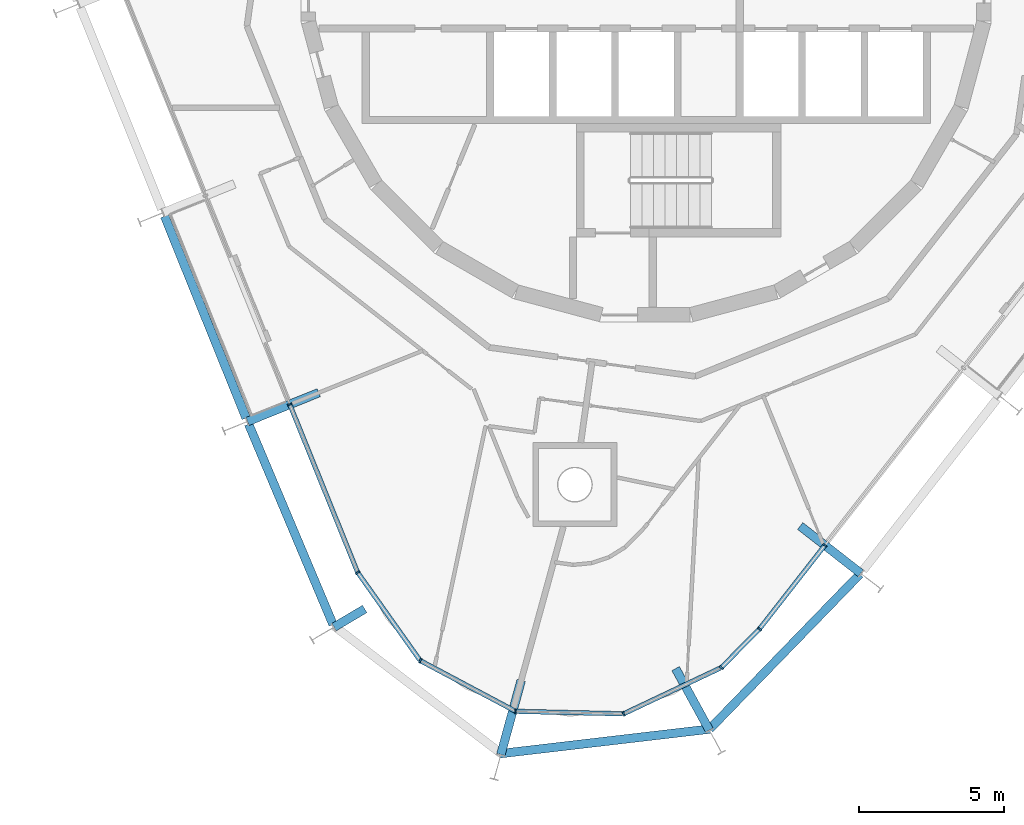
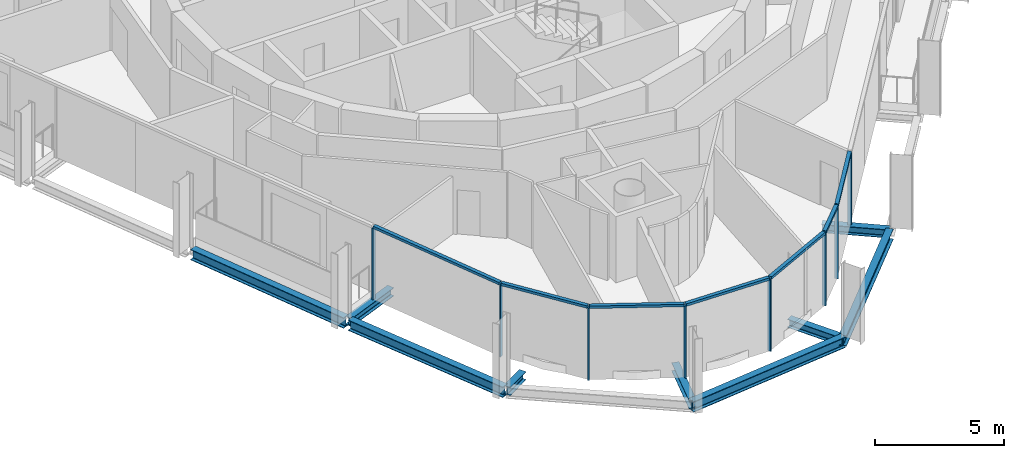
# One storey, part 2 of 15: 15 members, 9 beams, 2 elements without a shape of their own.
"""IFC4 building model written with IfcOpenShell, lengths in metres."""

from ifc_helpers import new_model, si_unit, direction, frame, origin, origin_2d, place, context, subcontext, project, spatial, rectangle, i_section, extrude, material, layer, layer_set, material_profile, profile_set, type_object, element, aggregate, save


model = new_model("IFC4")

# Units and contexts
model_context = context("Model", 3, precision=1e-05, world=origin(), true_north=direction((0.0, 1.0)))
body_context = subcontext(model_context, "Body", "Model", "MODEL_VIEW")
ifc_project = project(units=[si_unit("LENGTHUNIT", "METRE"), si_unit("AREAUNIT", "SQUARE_METRE"), si_unit("VOLUMEUNIT", "CUBIC_METRE"), si_unit("PLANEANGLEUNIT", "RADIAN"), si_unit("MASSUNIT", "GRAM", prefix="KILO")], contexts=[model_context])

# Site, building, storey
site_placement = place(None, origin())
site = spatial("IfcSite", under=ifc_project, at=site_placement, CompositionType="ELEMENT")
building_placement = place(site_placement, origin())
building = spatial("IfcBuilding", under=site, at=building_placement, Name="Spindle Arch Residences", CompositionType="ELEMENT")
storey_placement = place(building_placement, frame((0.0, 0.0, 357.5)))
storey = spatial("IfcBuildingStorey", under=building, at=storey_placement, Name="L92", CompositionType="ELEMENT", Elevation=357.5)

# Curtain wall, members
ifc_material_1 = material(Name="Aluminium bronze unitised frame with tinted glass", Category="aluminium")
ifc_layer_1 = layer(ifc_material_1, 0.159912109375)
ifc_layer_set_1 = layer_set([ifc_layer_1], Name="CW-D corner wall on the fillet arcs")
curtain_wall_type_1 = type_object("IfcCurtainWallType", Name="CW-D corner wall on the fillet arcs", PredefinedType="NOTDEFINED", material=ifc_layer_set_1)
curtain_wall_1_placement = place(storey_placement, origin())
curtain_wall_1 = element("IfcCurtainWall", 1, at=curtain_wall_1_placement, inside=storey, type_object=curtain_wall_type_1, Name="CW-D L92 run 5", PredefinedType="NOTDEFINED")
ifc_material_2 = material(Name="Aluminium bronze anodised mullion", Category="aluminium")
ifc_material_profile_1 = material_profile(ifc_material_2, rectangle(XDim=0.159912109375, YDim=0.06005859375, at=origin_2d()), Name="MU 60x160")
ifc_profile_set_1 = profile_set([ifc_material_profile_1], Name="Aluminium bronze anodised mullion")
member_type_1 = type_object("IfcMemberType", Name="Bronze mullion 60x160", PredefinedType="MULLION", material=ifc_profile_set_1)
member_1_placement = place(storey_placement, frame((-12.292724609375, -14.73779296875, -0.3798828125), z_axis=(0.0, 0.0, 1.0), x_axis=(0.927183854567, 0.374606593416, 0.0)))
member_1 = element("IfcMember", 2, at=member_1_placement, type_object=member_type_1, Name="CW-D mullion 00", PredefinedType="MULLION", context=body_context, shape_type="SweptSolid", body=[
    extrude(rectangle(XDim=0.159912109375, YDim=0.06005859375, at=origin_2d()), origin(), (0.0, 0.0, 1.0), 3.3798828125),
])
member_2_placement = place(storey_placement, frame((-9.951904296875, -20.53173828125, -0.3798828125), z_axis=(0.0, 0.0, 1.0), x_axis=(0.815801266332, 0.578332338584, 0.0)))
member_2 = element("IfcMember", 3, at=member_2_placement, type_object=member_type_1, Name="CW-D mullion 01", PredefinedType="MULLION", context=body_context, shape_type="SweptSolid", body=[
    extrude(rectangle(XDim=0.159912109375, YDim=0.06005859375, at=origin_2d()), origin(), (0.0, 0.0, 1.0), 3.3798828125),
])
member_3_placement = place(storey_placement, frame((-7.79638671875, -23.572021484375, -0.3798828125), z_axis=(0.0, 0.0, 1.0), x_axis=(0.469471563633, 0.882947592408, 0.0)))
member_3 = element("IfcMember", 4, at=member_3_placement, type_object=member_type_1, Name="CW-D mullion 02", PredefinedType="MULLION", context=body_context, shape_type="SweptSolid", body=[
    extrude(rectangle(XDim=0.159912109375, YDim=0.06005859375, at=origin_2d()), origin(), (0.0, 0.0, 1.0), 3.3798828125),
])
member_4_placement = place(storey_placement, frame((-4.505859375, -25.321533203125, -0.3798828125), z_axis=(0.0, 0.0, 1.0), x_axis=(0.023268959422, 0.999729241109, 0.0)))
member_4 = element("IfcMember", 5, at=member_4_placement, type_object=member_type_1, Name="CW-D mullion 03", PredefinedType="MULLION", context=body_context, shape_type="SweptSolid", body=[
    extrude(rectangle(XDim=0.159912109375, YDim=0.06005859375, at=origin_2d()), origin(), (0.0, 0.0, 1.0), 3.3798828125),
])
member_5_placement = place(storey_placement, frame((-0.7802734375, -25.408203125, -0.3798828125), z_axis=(0.0, 0.0, 1.0), x_axis=(-0.427883767902, 0.903833768547, 0.0)))
member_5 = element("IfcMember", 6, at=member_5_placement, type_object=member_type_1, Name="CW-D mullion 04", PredefinedType="MULLION", context=body_context, shape_type="SweptSolid", body=[
    extrude(rectangle(XDim=0.159912109375, YDim=0.06005859375, at=origin_2d()), origin(), (0.0, 0.0, 1.0), 3.3798828125),
])
member_6_placement = place(storey_placement, frame((2.588134765625, -23.813720703125, -0.3798828125), z_axis=(0.0, 0.0, 1.0), x_axis=(-0.711208575748, 0.702981053644, 0.0)))
member_6 = element("IfcMember", 7, at=member_6_placement, type_object=member_type_1, Name="CW-D mullion 05", PredefinedType="MULLION", context=body_context, shape_type="SweptSolid", body=[
    extrude(rectangle(XDim=0.159912109375, YDim=0.06005859375, at=origin_2d()), origin(), (0.0, 0.0, 1.0), 3.3798828125),
])
member_7_placement = place(storey_placement, frame((3.906982421875, -22.479248046875, -0.3798828125), z_axis=(0.0, 0.0, 1.0), x_axis=(-0.788010753607, 0.615661475326, 0.0)))
member_7 = element("IfcMember", 8, at=member_7_placement, type_object=member_type_1, Name="CW-D mullion 06", PredefinedType="MULLION", context=body_context, shape_type="SweptSolid", body=[
    extrude(rectangle(XDim=0.159912109375, YDim=0.06005859375, at=origin_2d()), origin(), (0.0, 0.0, 1.0), 3.3798828125),
])

# Curtain wall, member
ifc_material_3 = material(Name="Aluminium bronze unitised frame with tinted glass", Category="aluminium")
ifc_layer_2 = layer(ifc_material_3, 0.159912109375)
ifc_layer_set_2 = layer_set([ifc_layer_2], Name="CW-C typical residential unitised wall")
curtain_wall_type_2 = type_object("IfcCurtainWallType", Name="CW-C typical residential unitised wall", PredefinedType="NOTDEFINED", material=ifc_layer_set_2)
curtain_wall_2_placement = place(storey_placement, origin())
curtain_wall_2 = element("IfcCurtainWall", 9, at=curtain_wall_2_placement, inside=storey, type_object=curtain_wall_type_2, Name="CW-C L92 run 6", PredefinedType="NOTDEFINED")
member_8_placement = place(storey_placement, frame((6.160400390625, -19.594970703125, -0.3798828125), z_axis=(0.0, 0.0, 1.0), x_axis=(-0.788010753607, 0.615661475326, 0.0)))
member_8 = element("IfcMember", 10, at=member_8_placement, type_object=member_type_1, Name="CW-C mullion 18", PredefinedType="MULLION", context=body_context, shape_type="SweptSolid", body=[
    extrude(rectangle(XDim=0.159912109375, YDim=0.06005859375, at=origin_2d()), origin(), (0.0, 0.0, 1.0), 3.3798828125),
])
aggregate(curtain_wall_2, [member_8])

# Member
ifc_material_4 = material(Name="Aluminium bronze anodised transom", Category="aluminium")
ifc_material_profile_2 = material_profile(ifc_material_4, rectangle(XDim=0.159912109375, YDim=0.1201171875, at=origin_2d()), Name="TR 120x160")
ifc_profile_set_2 = profile_set([ifc_material_profile_2], Name="Aluminium bronze anodised transom")
member_type_2 = type_object("IfcMemberType", Name="Bronze transom 120x160", PredefinedType="USERDEFINED", material=ifc_profile_set_2)
member_9_placement = place(storey_placement, frame((-12.28125, -14.765625, 3.06005859375), z_axis=(0.374564798487, -0.927200739719, 0.0), x_axis=(0.927200739719, 0.374564798487, 0.0)))
member_9 = element("IfcMember", 11, at=member_9_placement, type_object=member_type_2, Name="CW-D transom 00", ObjectType="TRANSOM", PredefinedType="USERDEFINED", context=body_context, shape_type="SweptSolid", body=[
    extrude(rectangle(XDim=0.159912109375, YDim=0.1201171875, at=origin_2d()), origin(), (0.0, 0.0, 1.0), 6.188720703125),
])

member_10_placement = place(storey_placement, frame((-9.934326171875, -20.55615234375, 3.06005859375), z_axis=(0.578349828601, -0.815788867145, 0.0), x_axis=(0.815788867145, 0.578349828601, 0.0)))
member_10 = element("IfcMember", 12, at=member_10_placement, type_object=member_type_2, Name="CW-D transom 01", ObjectType="TRANSOM", PredefinedType="USERDEFINED", context=body_context, shape_type="SweptSolid", body=[
    extrude(rectangle(XDim=0.159912109375, YDim=0.1201171875, at=origin_2d()), origin(), (0.0, 0.0, 1.0), 3.666748046875),
])

member_11_placement = place(storey_placement, frame((-7.77001953125, -23.5859375, 3.06005859375), z_axis=(0.882947559001, -0.469471626463, 0.0), x_axis=(0.469471626463, 0.882947559001, 0.0)))
member_11 = element("IfcMember", 13, at=member_11_placement, type_object=member_type_2, Name="CW-D transom 02", ObjectType="TRANSOM", PredefinedType="USERDEFINED", context=body_context, shape_type="SweptSolid", body=[
    extrude(rectangle(XDim=0.159912109375, YDim=0.1201171875, at=origin_2d()), origin(), (0.0, 0.0, 1.0), 3.666748046875),
])

member_12_placement = place(storey_placement, frame((-4.47607421875, -25.322265625, 3.06005859375), z_axis=(0.999729981043, -0.023237147079, 0.0), x_axis=(0.023237147079, 0.999729981043, 0.0)))
member_12 = element("IfcMember", 14, at=member_12_placement, type_object=member_type_2, Name="CW-D transom 03", ObjectType="TRANSOM", PredefinedType="USERDEFINED", context=body_context, shape_type="SweptSolid", body=[
    extrude(rectangle(XDim=0.159912109375, YDim=0.1201171875, at=origin_2d()), origin(), (0.0, 0.0, 1.0), 3.666748046875),
])

member_13_placement = place(storey_placement, frame((-0.753173828125, -25.3955078125, 3.06005859375), z_axis=(0.903821874806, 0.427908890562, 0.0), x_axis=(-0.427908890562, 0.903821874806, 0.0)))
member_13 = element("IfcMember", 15, at=member_13_placement, type_object=member_type_2, Name="CW-D transom 04", ObjectType="TRANSOM", PredefinedType="USERDEFINED", context=body_context, shape_type="SweptSolid", body=[
    extrude(rectangle(XDim=0.159912109375, YDim=0.1201171875, at=origin_2d()), origin(), (0.0, 0.0, 1.0), 3.6669921875),
])

member_14_placement = place(storey_placement, frame((2.609130859375, -23.792236328125, 3.06005859375), z_axis=(0.703062417903, 0.711128143539, 0.0), x_axis=(-0.711128143539, 0.703062417903, 0.0)))
member_14 = element("IfcMember", 16, at=member_14_placement, type_object=member_type_2, Name="CW-D transom 05", ObjectType="TRANSOM", PredefinedType="USERDEFINED", context=body_context, shape_type="SweptSolid", body=[
    extrude(rectangle(XDim=0.159912109375, YDim=0.1201171875, at=origin_2d()), origin(), (0.0, 0.0, 1.0), 1.816162109375),
])

member_15_placement = place(storey_placement, frame((3.925537109375, -22.455810546875, 3.06005859375), z_axis=(0.615647989673, 0.788021289568, 0.0), x_axis=(-0.788021289568, 0.615647989673, 0.0)))
member_15 = element("IfcMember", 17, at=member_15_placement, type_object=member_type_2, Name="CW-D transom 06", ObjectType="TRANSOM", PredefinedType="USERDEFINED", context=body_context, shape_type="SweptSolid", body=[
    extrude(rectangle(XDim=0.159912109375, YDim=0.1201171875, at=origin_2d()), origin(), (0.0, 0.0, 1.0), 3.600341796875),
])

aggregate(curtain_wall_1, [member_1, member_9, member_2, member_10, member_3, member_11, member_4, member_12, member_5, member_13, member_6, member_14, member_7, member_15])

# Beams
ifc_material_5 = material(Name="Steel S460ML, intumescent coating R 120", Category="steel")
ifc_material_profile_3 = material_profile(ifc_material_5, i_section(OverallWidth=0.300048828125, OverallDepth=0.5, WebThickness=0.014404296875, FlangeThickness=0.028076171875, FilletRadius=0.027099609375, at=origin_2d()), Name="HEB 500")
ifc_profile_set_3 = profile_set([ifc_material_profile_3], Name="Steel S460ML, intumescent coating R 120")
beam_type_1 = type_object("IfcBeamType", Name="Exoskeleton edge beam HEB 500", PredefinedType="BEAM", material=ifc_profile_set_3)
beam_1_placement = place(storey_placement, frame((-16.608642578125, -8.24658203125, -0.6298828125), z_axis=(0.374596427458, -0.927187961816, 0.0), x_axis=(0.927187961816, 0.374596427458, 0.0)))
element("IfcBeam", 18, at=beam_1_placement, inside=storey, type_object=beam_type_1, Name="Exoskeleton edge beam 14", PredefinedType="BEAM", context=body_context, shape_type="SweptSolid", body=[
    extrude(i_section(OverallWidth=0.300048828125, OverallDepth=0.5, WebThickness=0.014404296875, FlangeThickness=0.028076171875, FilletRadius=0.027099609375, at=origin_2d()), origin(), (0.0, 0.0, 1.0), 7.50537109375),
])
beam_2_placement = place(storey_placement, frame((-13.711669921875, -15.4150390625, -0.6298828125), z_axis=(0.388148671876, -0.92159677111, 0.0), x_axis=(0.92159677111, 0.388148671876, 0.0)))
element("IfcBeam", 19, at=beam_2_placement, inside=storey, type_object=beam_type_1, Name="Exoskeleton edge beam 15", PredefinedType="BEAM", context=body_context, shape_type="SweptSolid", body=[
    extrude(i_section(OverallWidth=0.300048828125, OverallDepth=0.5, WebThickness=0.014404296875, FlangeThickness=0.028076171875, FilletRadius=0.027099609375, at=origin_2d()), origin(), (0.0, 0.0, 1.0), 7.500732421875),
])
beam_3_placement = place(storey_placement, frame((-5.0556640625, -26.78271484375, -0.6298828125), z_axis=(0.993205848316, 0.116370713117, 0.0), x_axis=(-0.116370713117, 0.993205848316, 0.0)))
element("IfcBeam", 20, at=beam_3_placement, inside=storey, type_object=beam_type_1, Name="Exoskeleton edge beam 17", PredefinedType="BEAM", context=body_context, shape_type="SweptSolid", body=[
    extrude(i_section(OverallWidth=0.300048828125, OverallDepth=0.5, WebThickness=0.014404296875, FlangeThickness=0.028076171875, FilletRadius=0.027099609375, at=origin_2d()), origin(), (0.0, 0.0, 1.0), 7.315673828125),
])
beam_4_placement = place(storey_placement, frame((2.19091796875, -25.927001953125, -0.6298828125), z_axis=(0.696374951776, 0.717678149688, 0.0), x_axis=(-0.717678149688, 0.696374951776, 0.0)))
element("IfcBeam", 21, at=beam_4_placement, inside=storey, type_object=beam_type_1, Name="Exoskeleton edge beam 18", PredefinedType="BEAM", context=body_context, shape_type="SweptSolid", body=[
    extrude(i_section(OverallWidth=0.300048828125, OverallDepth=0.5, WebThickness=0.014404296875, FlangeThickness=0.028076171875, FilletRadius=0.027099609375, at=origin_2d()), origin(), (0.0, 0.0, 1.0), 7.437744140625),
])
ifc_material_6 = material(Name="Steel S460ML, intumescent coating R 120", Category="steel")
ifc_material_profile_4 = material_profile(ifc_material_6, i_section(OverallWidth=0.300048828125, OverallDepth=0.389892578125, WebThickness=0.010986328125, FlangeThickness=0.01904296875, FilletRadius=0.027099609375, at=origin_2d()), Name="HEA 400")
ifc_profile_set_4 = profile_set([ifc_material_profile_4], Name="Steel S460ML, intumescent coating R 120")
beam_type_2 = type_object("IfcBeamType", Name="Floor outrigger HEA 400", PredefinedType="BEAM", material=ifc_profile_set_4)
beam_5_placement = place(storey_placement, frame((-13.748291015625, -15.325927734375, -0.574951171875), z_axis=(0.927187692393, 0.374597094323, 0.0), x_axis=(-0.374597094323, 0.927187692393, 0.0)))
element("IfcBeam", 22, at=beam_5_placement, inside=storey, type_object=beam_type_2, Name="Floor outrigger 15", PredefinedType="BEAM", context=body_context, shape_type="SweptSolid", body=[
    extrude(i_section(OverallWidth=0.300048828125, OverallDepth=0.389892578125, WebThickness=0.010986328125, FlangeThickness=0.01904296875, FilletRadius=0.027099609375, at=origin_2d()), origin(), (0.0, 0.0, 1.0), 2.64990234375),
])
beam_6_placement = place(storey_placement, frame((-10.765869140625, -22.417724609375, -0.574951171875), z_axis=(0.860752508727, 0.509023691709, 0.0), x_axis=(-0.509023691709, 0.860752508727, 0.0)))
element("IfcBeam", 23, at=beam_6_placement, inside=storey, type_object=beam_type_2, Name="Floor outrigger 16", PredefinedType="BEAM", context=body_context, shape_type="SweptSolid", body=[
    extrude(i_section(OverallWidth=0.300048828125, OverallDepth=0.389892578125, WebThickness=0.010986328125, FlangeThickness=0.01904296875, FilletRadius=0.027099609375, at=origin_2d()), origin(), (0.0, 0.0, 1.0), 1.229248046875),
])
beam_7_placement = place(storey_placement, frame((-5.01318359375, -26.810791015625, -0.574951171875), z_axis=(0.2645204188, 0.964380084841, 0.0), x_axis=(-0.964380084841, 0.2645204188, 0.0)))
element("IfcBeam", 24, at=beam_7_placement, inside=storey, type_object=beam_type_2, Name="Floor outrigger 17", PredefinedType="BEAM", context=body_context, shape_type="SweptSolid", body=[
    extrude(i_section(OverallWidth=0.300048828125, OverallDepth=0.389892578125, WebThickness=0.010986328125, FlangeThickness=0.01904296875, FilletRadius=0.027099609375, at=origin_2d()), origin(), (0.0, 0.0, 1.0), 2.64990234375),
])
beam_8_placement = place(storey_placement, frame((2.175537109375, -25.968505859375, -0.574951171875), z_axis=(-0.48032201602, 0.877092219169, 0.0), x_axis=(-0.877092219169, -0.48032201602, 0.0)))
element("IfcBeam", 25, at=beam_8_placement, inside=storey, type_object=beam_type_2, Name="Floor outrigger 18", PredefinedType="BEAM", context=body_context, shape_type="SweptSolid", body=[
    extrude(i_section(OverallWidth=0.300048828125, OverallDepth=0.389892578125, WebThickness=0.010986328125, FlangeThickness=0.01904296875, FilletRadius=0.027099609375, at=origin_2d()), origin(), (0.0, 0.0, 1.0), 2.41943359375),
])
beam_9_placement = place(storey_placement, frame((7.397705078125, -20.561767578125, -0.574951171875), z_axis=(-0.788015993799, 0.615654768127, 0.0), x_axis=(-0.615654768127, -0.788015993799, 0.0)))
element("IfcBeam", 26, at=beam_9_placement, inside=storey, type_object=beam_type_2, Name="Floor outrigger 19", PredefinedType="BEAM", context=body_context, shape_type="SweptSolid", body=[
    extrude(i_section(OverallWidth=0.300048828125, OverallDepth=0.389892578125, WebThickness=0.010986328125, FlangeThickness=0.01904296875, FilletRadius=0.027099609375, at=origin_2d()), origin(), (0.0, 0.0, 1.0), 2.650146484375),
])

save(model, "model.ifc")
